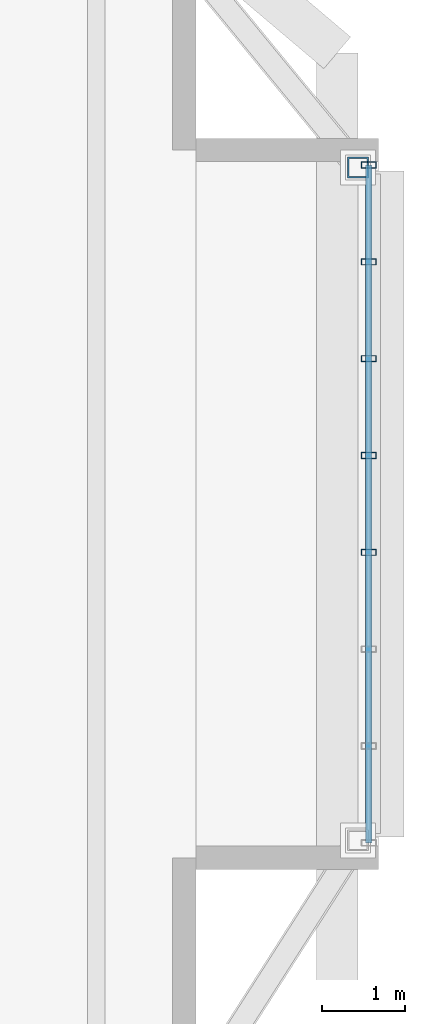
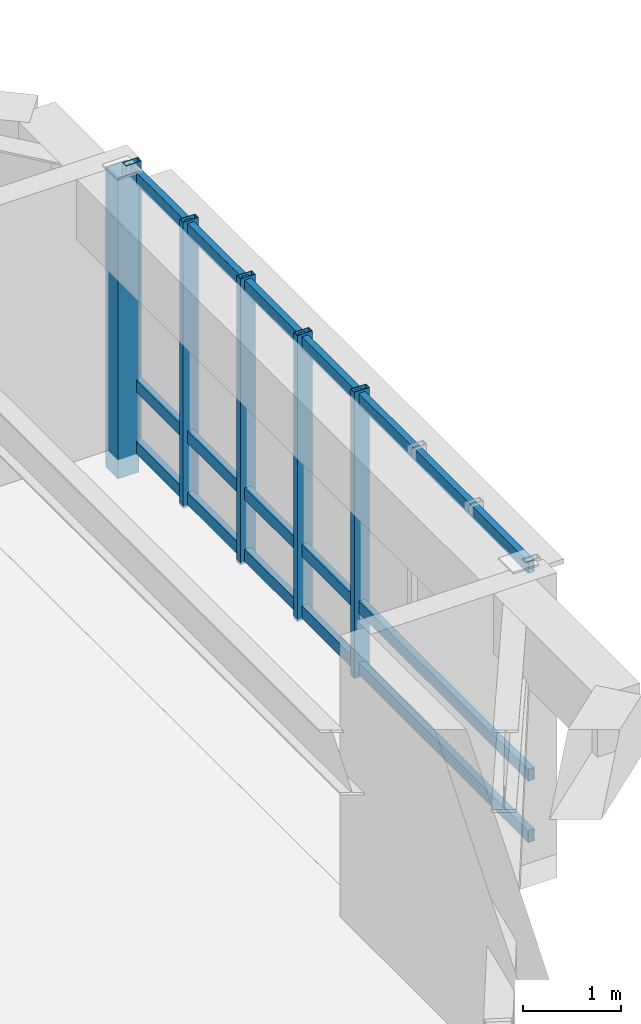
# One storey, part 8 of 16: 9 members, 1 element without a shape of its own.
"""IFC4 building model written with IfcOpenShell, lengths in metres."""

import ifcopenshell
import ifcopenshell.guid

model = None  # the IFC model being written
_history = None  # IfcOwnerHistory: only IFC2X3 demands one
_inside = {}  # id of a spatial element -> (the spatial element, [elements in it])
_under = {}  # id of a project, library or spatial element -> (it, [spatial elements below it])
_declared = {}  # id of a project -> (the project, [libraries it declares])
_typed = {}  # id of a type object -> (the type object, [elements of that type])
_made_of = {}  # id of a material, layer set ... -> (it, [elements and type objects made of it])


def new_model(schema):
    """Start an empty IFC model of exactly this schema.

    Asked for "IFC4X3", IfcOpenShell would pick the latest addendum, in which some entities
    have other attributes; the version numbers below select the first issue.
    IFC2X3 requires an IfcOwnerHistory on every rooted entity: one is made here for all.
    """
    global model, _history
    if schema == "IFC4X3":
        model = ifcopenshell.file(schema_version=(4, 3, 0, 0))
    else:
        model = ifcopenshell.file(schema=schema)
    _inside.clear()
    _under.clear()
    _declared.clear()
    _typed.clear()
    _made_of.clear()
    _history = None
    if model.schema == "IFC2X3":
        org = make("IfcOrganization", Name="unknown")
        user = make(
            "IfcPersonAndOrganization",
            ThePerson=make("IfcPerson", FamilyName="unknown"),
            TheOrganization=org,
        )
        app = make(
            "IfcApplication",
            ApplicationDeveloper=org,
            Version="unknown",
            ApplicationFullName="unknown",
            ApplicationIdentifier="unknown",
        )
        _history = make(
            "IfcOwnerHistory",
            OwningUser=user,
            OwningApplication=app,
            ChangeAction="ADDED",
            CreationDate=0,
        )
    return model


def make(cls, **values):
    """One entity of the class cls with the attributes given. An attribute that is None is left unset."""
    return model.create_entity(
        cls, **{name: value for name, value in values.items() if value is not None}
    )


def rooted(cls, **values):
    """An entity with a GlobalId (a new one), such as an element, a storey or a relation."""
    return make(cls, GlobalId=ifcopenshell.guid.new(), OwnerHistory=_history, **values)


def si_unit(unit_type, name, prefix=None):
    """IfcSIUnit, for example si_unit("LENGTHUNIT", "METRE", prefix="MILLI")."""
    return make("IfcSIUnit", UnitType=unit_type, Prefix=prefix, Name=name)


def assignment(units):
    """IfcUnitAssignment: the units of a project."""
    return None if units is None else make("IfcUnitAssignment", Units=units)


def point(xyz):
    """IfcCartesianPoint."""
    return None if xyz is None else make("IfcCartesianPoint", Coordinates=xyz)


def direction(xyz):
    """IfcDirection."""
    return None if xyz is None else make("IfcDirection", DirectionRatios=xyz)


def frame(location, z_axis=None, x_axis=None):
    """IfcAxis2Placement3D, a coordinate frame: its origin and axes. An axis left out is left unset."""
    return make(
        "IfcAxis2Placement3D",
        Location=point(location),
        Axis=direction(z_axis),
        RefDirection=direction(x_axis),
    )


def frame_2d(location, x_axis=None):
    """IfcAxis2Placement2D, a coordinate frame in the plane: its origin and x axis."""
    return make(
        "IfcAxis2Placement2D", Location=point(location), RefDirection=direction(x_axis)
    )


def origin():
    """The frame at (0, 0, 0) with its axes left unset."""
    return frame((0.0, 0.0, 0.0))


def origin_2d():
    """The frame at (0, 0) in the plane with its x axis left unset."""
    return frame_2d((0.0, 0.0))


def place(relative_to, where):
    """IfcLocalPlacement: puts the frame where relative to a parent placement (None: the world)."""
    return make(
        "IfcLocalPlacement", PlacementRelTo=relative_to, RelativePlacement=where
    )


def context(
    kind, dimensions, precision=None, world=None, true_north=None, identifier=None
):
    """IfcGeometricRepresentationContext, for example the 3D "Model" context."""
    return make(
        "IfcGeometricRepresentationContext",
        ContextIdentifier=identifier,
        ContextType=kind,
        CoordinateSpaceDimension=dimensions,
        Precision=precision,
        WorldCoordinateSystem=world,
        TrueNorth=true_north,
    )


def subcontext(parent, identifier, kind, view, scale=None):
    """IfcGeometricRepresentationSubContext, for example "Body" below "Model"."""
    return make(
        "IfcGeometricRepresentationSubContext",
        ContextIdentifier=identifier,
        ContextType=kind,
        ParentContext=parent,
        TargetScale=scale,
        TargetView=view,
    )


def project(units=None, contexts=None):
    """IfcProject with its units and contexts."""
    return rooted(
        "IfcProject",
        Name="project",
        RepresentationContexts=contexts,
        UnitsInContext=assignment(units),
    )


def spatial(cls, under=None, at=None, **own):
    """A site, building, storey or space (cls), placed at a placement, below another one or the project."""
    s = rooted(cls, ObjectPlacement=at, **own)
    if under is not None:
        _under.setdefault(under.id(), (under, []))[1].append(s)
    return s


def profile(cls, at=None, kind="AREA", **sizes):
    """A parametric profile (cls). Its sizes go by their IFC names, for example OverallWidth=200.0."""
    return make(cls, ProfileType=kind, Position=at, **sizes)


def hollow_rectangle(**sizes):
    """IfcRectangleHollowProfileDef."""
    return profile("IfcRectangleHollowProfileDef", **sizes)


def extrude(swept, where, along, depth):
    """IfcExtrudedAreaSolid: the profile swept, set in the frame where, extruded along a direction by depth."""
    return make(
        "IfcExtrudedAreaSolid",
        SweptArea=swept,
        Position=where,
        ExtrudedDirection=direction(along),
        Depth=depth,
    )


def shape(context_of_items, identifier, shape_type, items):
    """IfcShapeRepresentation: the items that make up one representation, for example the "Body"."""
    return make(
        "IfcShapeRepresentation",
        ContextOfItems=context_of_items,
        RepresentationIdentifier=identifier,
        RepresentationType=shape_type,
        Items=items,
    )


def material(Name=None, Category=None):
    """IfcMaterial."""
    return make("IfcMaterial", Name=Name, Category=Category)


def material_profile(
    of_material, cross_section, Name=None, Category=None, Priority=None
):
    """IfcMaterialProfile: a cross section and its material."""
    return make(
        "IfcMaterialProfile",
        Name=Name,
        Material=of_material,
        Profile=cross_section,
        Priority=Priority,
        Category=Category,
    )


def profile_set(profiles, Name=None, composite=None):
    """IfcMaterialProfileSet."""
    return make(
        "IfcMaterialProfileSet",
        Name=Name,
        MaterialProfiles=profiles,
        CompositeProfile=composite,
    )


def made_of(thing, what):
    """Note that an element or type object is made of a material, layer set ...; save() writes the relation."""
    if what is not None:
        _made_of.setdefault(what.id(), (what, []))[1].append(thing)
    return thing


def type_object(cls, material=None, **own):
    """A type object (cls), such as IfcWallType, which elements share."""
    return made_of(rooted(cls, **own), material)


def element(
    cls,
    number,
    at=None,
    inside=None,
    cuts=None,
    type_object=None,
    material=None,
    context=None,
    identifier="Body",
    shape_type=None,
    held_by="IfcProductDefinitionShape",
    body=None,
    shapes=None,
    **own,
):
    """One element of the class cls, such as IfcWall. Its Tag is "e" and its number.

    at: its placement. inside: the storey or other place that contains it. cuts: it is an
    opening in that element (IfcRelVoidsElement). A single representation is given by context,
    identifier, shape_type and body (its items); several are given by shapes. held_by: the class
    of the entity that holds the representations. save() writes the other relations.
    """
    e = rooted(cls, Tag="e%d" % number, ObjectPlacement=at, **own)
    if body is not None:
        shapes = [shape(context, identifier, shape_type, body)]
    if shapes is not None:
        e.Representation = make(held_by, Representations=shapes)
    if inside is not None:
        _inside.setdefault(inside.id(), (inside, []))[1].append(e)
    if cuts is not None:
        rooted(
            "IfcRelVoidsElement", RelatingBuildingElement=cuts, RelatedOpeningElement=e
        )
    if type_object is not None:
        _typed.setdefault(type_object.id(), (type_object, []))[1].append(e)
    return made_of(e, material)


def aggregate(whole, parts):
    """IfcRelAggregates: a whole, such as a stair, and the parts it consists of."""
    return rooted("IfcRelAggregates", RelatingObject=whole, RelatedObjects=parts)


def save(model, path):
    """Write the relations noted so far, then the file.

    IfcRelAggregates (storeys below a building ...), IfcRelContainedInSpatialStructure (elements
    in a storey), IfcRelDefinesByType, IfcRelAssociatesMaterial and IfcRelDeclares: one each for
    every whole, place, type object, material and project.
    """
    for whole, parts in _under.values():
        aggregate(whole, parts)
    for where, things in _inside.values():
        rooted(
            "IfcRelContainedInSpatialStructure",
            RelatedElements=things,
            RelatingStructure=where,
        )
    for kind, things in _typed.values():
        rooted("IfcRelDefinesByType", RelatedObjects=things, RelatingType=kind)
    for what, things in _made_of.values():
        rooted("IfcRelAssociatesMaterial", RelatedObjects=things, RelatingMaterial=what)
    for by, libraries in _declared.values():
        rooted("IfcRelDeclares", RelatingContext=by, RelatedDefinitions=libraries)
    model.write(path)


model = new_model("IFC4")

# Units and contexts
model_context = context("Model", 3, precision=1e-05, world=origin(), true_north=direction((0.0, 1.0)))
body_context = subcontext(model_context, "Body", "Model", "MODEL_VIEW")
ifc_project = project(units=[si_unit("LENGTHUNIT", "METRE"), si_unit("AREAUNIT", "SQUARE_METRE"), si_unit("VOLUMEUNIT", "CUBIC_METRE"), si_unit("PLANEANGLEUNIT", "RADIAN"), si_unit("MASSUNIT", "GRAM", prefix="KILO")], contexts=[model_context])

# Site, building, storey
site_placement = place(None, origin())
site = spatial("IfcSite", under=ifc_project, at=site_placement, CompositionType="ELEMENT")
building_placement = place(site_placement, origin())
building = spatial("IfcBuilding", under=site, at=building_placement, Name="Zulverin Broadcast Headquarters", CompositionType="ELEMENT")
storey_placement = place(building_placement, frame((0.0, 0.0, 228.800048828125)))
storey = spatial("IfcBuildingStorey", under=building, at=storey_placement, Name="L58", CompositionType="ELEMENT", Elevation=228.800048828125)

# Curtain wall, members
ifc_material_1 = material(Name="Acoustic triple-glazed studio box curtain wall", Category="aluminium")
curtain_wall_type = type_object("IfcCurtainWallType", Name="CW-SBOX", PredefinedType="USERDEFINED", material=ifc_material_1)
curtain_wall_placement = place(storey_placement, origin())
curtain_wall = element("IfcCurtainWall", 1, at=curtain_wall_placement, inside=storey, type_object=curtain_wall_type, Name="L58 Unitised Curtain Wall CW-L58-SBOX_SKY2_E-F", ObjectType="UNITISED CURTAIN WALL", PredefinedType="USERDEFINED")
ifc_material_2 = material(Name="Anodized pale-metal aluminium alloy 6063-T6", Category="aluminium")
ifc_material_profile_1 = material_profile(ifc_material_2, hollow_rectangle(XDim=0.074951171875, YDim=0.179931640625, WallThickness=0.0048828125, at=origin_2d()), Name="Anodized pale-metal aluminium alloy 6063-T6", Category="aluminium")
ifc_profile_set_1 = profile_set([ifc_material_profile_1], Name="Anodized pale-metal aluminium alloy 6063-T6")
member_type_1 = type_object("IfcMemberType", Name="CW-MUL-180", PredefinedType="MULLION", material=ifc_profile_set_1)
member_1_placement = place(storey_placement, frame((67.580078125, 25.80712890625, -0.030029296875), z_axis=(0.0, 0.0, 1.0), x_axis=(0.0, 1.0, 0.0)))
member_1 = element("IfcMember", 2, at=member_1_placement, type_object=member_type_1, Name="CW-L58-SBOX_SKY2_E-F Mullion 03", PredefinedType="MULLION", context=body_context, shape_type="SweptSolid", body=[
    extrude(hollow_rectangle(XDim=0.074951171875, YDim=0.179931640625, WallThickness=0.0048828125, at=origin_2d()), origin(), (0.0, 0.0, 1.0), 3.570068359375),
])
member_2_placement = place(storey_placement, frame((67.580078125, 26.972900390625, -0.030029296875), z_axis=(0.0, 0.0, 1.0), x_axis=(0.0, 1.0, 0.0)))
member_2 = element("IfcMember", 3, at=member_2_placement, type_object=member_type_1, Name="CW-L58-SBOX_SKY2_E-F Mullion 04", PredefinedType="MULLION", context=body_context, shape_type="SweptSolid", body=[
    extrude(hollow_rectangle(XDim=0.074951171875, YDim=0.179931640625, WallThickness=0.0048828125, at=origin_2d()), origin(), (0.0, 0.0, 1.0), 3.570068359375),
])
member_3_placement = place(storey_placement, frame((67.580078125, 28.138671875, -0.030029296875), z_axis=(0.0, 0.0, 1.0), x_axis=(0.0, 1.0, 0.0)))
member_3 = element("IfcMember", 4, at=member_3_placement, type_object=member_type_1, Name="CW-L58-SBOX_SKY2_E-F Mullion 05", PredefinedType="MULLION", context=body_context, shape_type="SweptSolid", body=[
    extrude(hollow_rectangle(XDim=0.074951171875, YDim=0.179931640625, WallThickness=0.0048828125, at=origin_2d()), origin(), (0.0, 0.0, 1.0), 3.570068359375),
])
member_4_placement = place(storey_placement, frame((67.580078125, 29.30419921875, -0.030029296875), z_axis=(0.0, 0.0, 1.0), x_axis=(0.0, 1.0, 0.0)))
member_4 = element("IfcMember", 5, at=member_4_placement, type_object=member_type_1, Name="CW-L58-SBOX_SKY2_E-F Mullion 06", PredefinedType="MULLION", context=body_context, shape_type="SweptSolid", body=[
    extrude(hollow_rectangle(XDim=0.074951171875, YDim=0.179931640625, WallThickness=0.0048828125, at=origin_2d()), origin(), (0.0, 0.0, 1.0), 3.570068359375),
])
member_5_placement = place(storey_placement, frame((67.580078125, 30.469970703125, -0.030029296875), z_axis=(0.0, 0.0, 1.0), x_axis=(0.0, 1.0, 0.0)))
member_5 = element("IfcMember", 6, at=member_5_placement, type_object=member_type_1, Name="CW-L58-SBOX_SKY2_E-F Mullion 07", PredefinedType="MULLION", context=body_context, shape_type="SweptSolid", body=[
    extrude(hollow_rectangle(XDim=0.074951171875, YDim=0.179931640625, WallThickness=0.0048828125, at=origin_2d()), origin(), (0.0, 0.0, 1.0), 3.570068359375),
])
ifc_material_profile_2 = material_profile(ifc_material_2, hollow_rectangle(XDim=0.074951171875, YDim=0.14990234375, WallThickness=0.0048828125, at=origin_2d()), Name="Anodized pale-metal aluminium alloy 6063-T6", Category="aluminium")
ifc_profile_set_2 = profile_set([ifc_material_profile_2], Name="Anodized pale-metal aluminium alloy 6063-T6")
member_type_2 = type_object("IfcMemberType", Name="CW-TRN-150", PredefinedType="USERDEFINED", material=ifc_profile_set_2)
member_6_placement = place(storey_placement, frame((67.580078125, 22.31005859375, 0.074951171875), z_axis=(0.0, 1.0, 0.0), x_axis=(-1.0, 0.0, 0.0)))
member_6 = element("IfcMember", 7, at=member_6_placement, type_object=member_type_2, Name="CW-L58-SBOX_SKY2_E-F Transom 0", ObjectType="TRANSOM", PredefinedType="USERDEFINED", context=body_context, shape_type="SweptSolid", body=[
    extrude(hollow_rectangle(XDim=0.074951171875, YDim=0.14990234375, WallThickness=0.0048828125, at=origin_2d()), origin(), (0.0, 0.0, 1.0), 8.159912109375),
])
member_7_placement = place(storey_placement, frame((67.580078125, 22.31005859375, 0.84228515625), z_axis=(0.0, 1.0, 0.0), x_axis=(-1.0, 0.0, 0.0)))
member_7 = element("IfcMember", 8, at=member_7_placement, type_object=member_type_2, Name="CW-L58-SBOX_SKY2_E-F Transom 1", ObjectType="TRANSOM", PredefinedType="USERDEFINED", context=body_context, shape_type="SweptSolid", body=[
    extrude(hollow_rectangle(XDim=0.074951171875, YDim=0.14990234375, WallThickness=0.0048828125, at=origin_2d()), origin(), (0.0, 0.0, 1.0), 8.159912109375),
])
member_8_placement = place(storey_placement, frame((67.580078125, 22.31005859375, 3.43505859375), z_axis=(0.0, 1.0, 0.0), x_axis=(-1.0, 0.0, 0.0)))
member_8 = element("IfcMember", 9, at=member_8_placement, type_object=member_type_2, Name="CW-L58-SBOX_SKY2_E-F Transom 2", ObjectType="TRANSOM", PredefinedType="USERDEFINED", context=body_context, shape_type="SweptSolid", body=[
    extrude(hollow_rectangle(XDim=0.074951171875, YDim=0.14990234375, WallThickness=0.0048828125, at=origin_2d()), origin(), (0.0, 0.0, 1.0), 8.159912109375),
])
aggregate(curtain_wall, [member_1, member_2, member_3, member_4, member_5, member_6, member_7, member_8])

# Member
ifc_material_3 = material(Name="Structural steel S355JR", Category="steel")
ifc_material_profile_3 = material_profile(ifc_material_3, hollow_rectangle(XDim=0.25, YDim=0.25, WallThickness=0.01611328125, at=origin_2d()), Name="Structural steel S355JR", Category="steel")
ifc_profile_set_3 = profile_set([ifc_material_profile_3], Name="Structural steel S355JR")
member_type_3 = type_object("IfcMemberType", Name="MBR-BLT-POST", PredefinedType="POST", material=ifc_profile_set_3)
member_9_placement = place(storey_placement, frame((67.449951171875, 30.43994140625, -0.239990234375), z_axis=(0.0, 0.0, 1.0), x_axis=(1.0, 0.0, 0.0)))
element("IfcMember", 10, at=member_9_placement, inside=storey, type_object=member_type_3, Name="L58 Shifted Studio Box Frame Post SBOX_SKY2_E-2", PredefinedType="POST", context=body_context, shape_type="SweptSolid", body=[
    extrude(hollow_rectangle(XDim=0.25, YDim=0.25, WallThickness=0.01611328125, at=origin_2d()), origin(), (0.0, 0.0, 1.0), 3.75),
])

save(model, "model.ifc")
